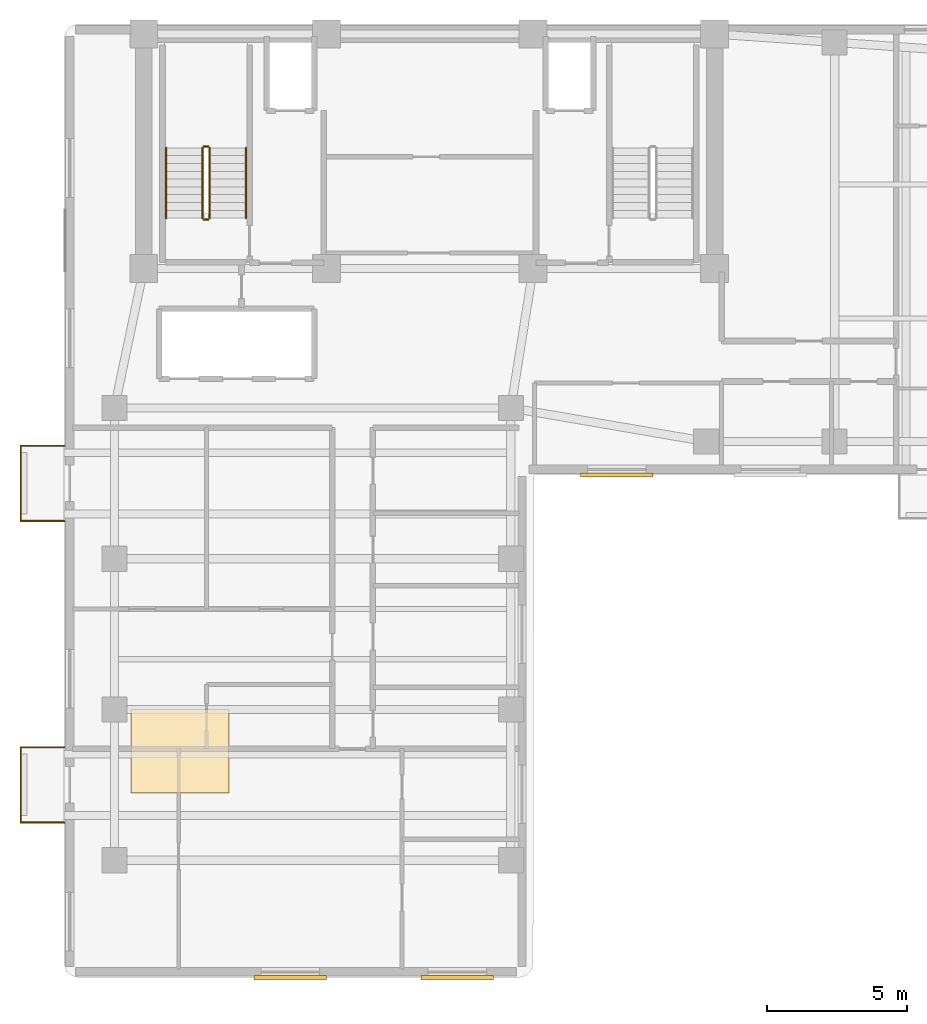
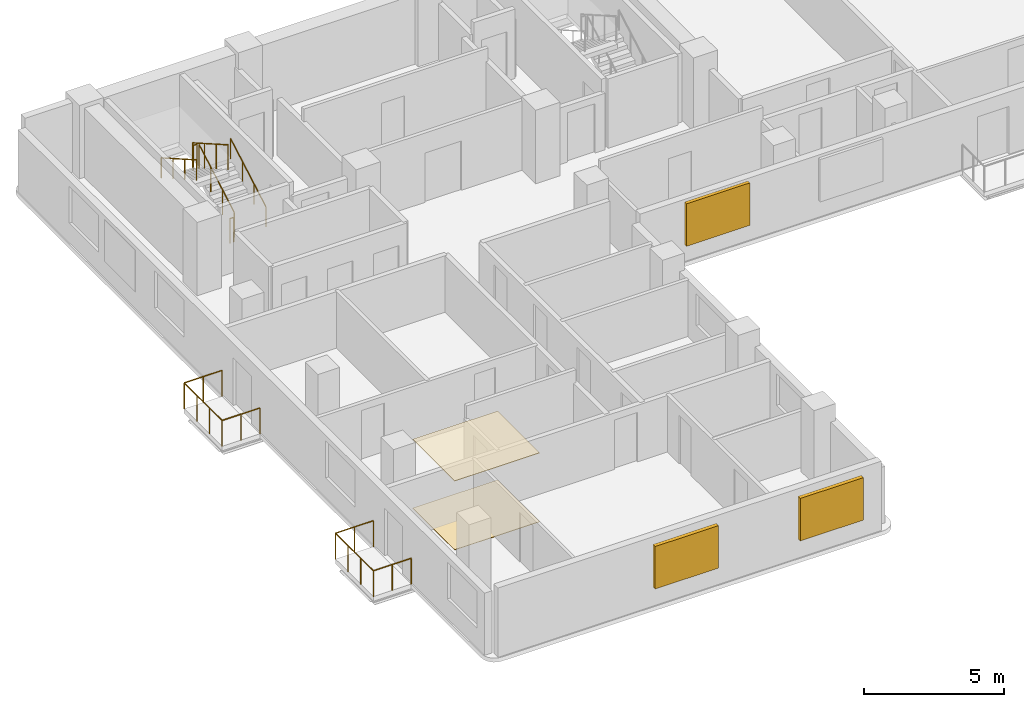
# One storey, part 6 of 7: 12 railings, 3 shading devices, 2 coverings.
"""IFC4 building model written with IfcOpenShell, lengths in metres."""

from ifc_helpers import new_model, si_unit, direction, frame, origin, origin_2d, place, context, subcontext, project, spatial, polyline, rectangle, circle, outline, extrude, material, layer, layer_set, type_object, element, save


model = new_model("IFC4")

# Units and contexts
model_context = context("Model", 3, precision=1e-05, world=origin(), true_north=direction((0.0, 1.0)))
body_context = subcontext(model_context, "Body", "Model", "MODEL_VIEW")
ifc_project = project(units=[si_unit("LENGTHUNIT", "METRE"), si_unit("AREAUNIT", "SQUARE_METRE"), si_unit("VOLUMEUNIT", "CUBIC_METRE"), si_unit("PLANEANGLEUNIT", "RADIAN"), si_unit("MASSUNIT", "GRAM", prefix="KILO")], contexts=[model_context])

# Site, building, storey
site_placement = place(None, origin())
site = spatial("IfcSite", under=ifc_project, at=site_placement, CompositionType="ELEMENT")
building_placement = place(site_placement, origin())
building = spatial("IfcBuilding", under=site, at=building_placement, Name="Kuzgunbayir Cultural Tower", CompositionType="ELEMENT")
storey_placement = place(building_placement, frame((0.0, 0.0, 176.0)))
storey = spatial("IfcBuildingStorey", under=building, at=storey_placement, Name="L51", CompositionType="ELEMENT", Elevation=176.0)

# Coverings
ifc_material_1 = material(Name="Perforated Gypsum Acoustic Tile", Category="gypsum")
ifc_layer_1 = layer(ifc_material_1, 0.02490234375)
ifc_layer_set_1 = layer_set([ifc_layer_1], Name="Perforated Gypsum Acoustic Tile")
covering_type_1 = type_object("IfcCoveringType", Name="COV-CEIL-ACOUSTIC", PredefinedType="CEILING", material=ifc_layer_set_1)
covering_1_placement = place(storey_placement, frame((0.0, 0.0, 3.0)))
element("IfcCovering", 1, at=covering_1_placement, inside=storey, type_object=covering_type_1, Name="L51 Acoustic Soffit Ceiling", PredefinedType="CEILING", context=body_context, shape_type="SweptSolid", body=[
    extrude(outline(polyline([(6.0, 15.0), (9.5, 15.0), (9.5, 18.0), (6.0, 18.0), (6.0, 15.0)])), origin(), (0.0, 0.0, 1.0), 0.02001953125),
])
ifc_material_2 = material(Name="Engineered Anatolian Oak Parquet", Category="wood")
ifc_layer_2 = layer(ifc_material_2, 0.02197265625)
ifc_layer_set_2 = layer_set([ifc_layer_2], Name="Engineered Anatolian Oak Parquet")
covering_type_2 = type_object("IfcCoveringType", Name="COV-FLOOR-OAK", PredefinedType="FLOORING", material=ifc_layer_set_2)
covering_2_placement = place(storey_placement, origin())
element("IfcCovering", 2, at=covering_2_placement, inside=storey, type_object=covering_type_2, Name="L51 Acoustic Floor Finish", PredefinedType="FLOORING", context=body_context, shape_type="SweptSolid", body=[
    extrude(outline(polyline([(6.0, 15.0), (9.5, 15.0), (9.5, 18.0), (6.0, 18.0), (6.0, 15.0)])), origin(), (0.0, 0.0, 1.0), 0.02001953125),
])

# Railings
ifc_material_3 = material(Name="Laminated Glass and Stainless Steel", Category="steel")
ifc_layer_3 = layer(ifc_material_3, 0.080078125)
ifc_layer_set_3 = layer_set([ifc_layer_3], Name="Laminated Glass and Stainless Steel")
railing_type_1 = type_object("IfcRailingType", Name="RLG-BAL-115", PredefinedType="BALUSTRADE", material=ifc_layer_set_3)
railing_1_placement = place(storey_placement, frame((3.60009765625, 13.949951171875, 0.0)))
element("IfcRailing", 3, at=railing_1_placement, inside=storey, type_object=railing_type_1, Name="L51 Balcony Guard BAL-L51-WA1 Segment 1", PredefinedType="BALUSTRADE", context=body_context, shape_type="SweptSolid", body=[
    extrude(circle(Radius=0.02392578125, at=origin_2d()), frame((0.0, 0.0, 1.1259765625), z_axis=(-1.0, 0.0, 0.0), x_axis=(0.0, -1.0, 0.0)), (0.0, 0.0, 1.0), 1.56005859375),
    extrude(circle(Radius=0.02099609375, at=origin_2d()), origin(), (0.0, 0.0, 1.0), 1.101806640625),
    extrude(circle(Radius=0.02099609375, at=origin_2d()), frame((-0.780029296875, 0.0, 0.0)), (0.0, 0.0, 1.0), 1.101806640625),
    extrude(circle(Radius=0.02099609375, at=origin_2d()), frame((-1.56005859375, 0.0, 0.0)), (0.0, 0.0, 1.0), 1.101806640625),
])
railing_2_placement = place(storey_placement, frame((2.0400390625, 13.949951171875, 0.0)))
element("IfcRailing", 4, at=railing_2_placement, inside=storey, type_object=railing_type_1, Name="L51 Balcony Guard BAL-L51-WA1 Segment 2", PredefinedType="BALUSTRADE", context=body_context, shape_type="SweptSolid", body=[
    extrude(circle(Radius=0.02392578125, at=origin_2d()), frame((0.0, 0.0, 1.1259765625), z_axis=(0.0, 1.0, 0.0), x_axis=(-1.0, 0.0, 0.0)), (0.0, 0.0, 1.0), 2.699951171875),
    extrude(circle(Radius=0.02099609375, at=origin_2d()), origin(), (0.0, 0.0, 1.0), 1.101806640625),
    extrude(circle(Radius=0.02099609375, at=origin_2d()), frame((0.0, 0.89990234375, 0.0)), (0.0, 0.0, 1.0), 1.101806640625),
    extrude(circle(Radius=0.02099609375, at=origin_2d()), frame((0.0, 1.800048828125, 0.0)), (0.0, 0.0, 1.0), 1.101806640625),
    extrude(circle(Radius=0.02099609375, at=origin_2d()), frame((0.0, 2.699951171875, 0.0)), (0.0, 0.0, 1.0), 1.101806640625),
])
railing_3_placement = place(storey_placement, frame((2.0400390625, 16.64990234375, 0.0)))
element("IfcRailing", 5, at=railing_3_placement, inside=storey, type_object=railing_type_1, Name="L51 Balcony Guard BAL-L51-WA1 Segment 3", PredefinedType="BALUSTRADE", context=body_context, shape_type="SweptSolid", body=[
    extrude(circle(Radius=0.02392578125, at=origin_2d()), frame((0.0, 0.0, 1.1259765625), z_axis=(1.0, 0.0, 0.0), x_axis=(0.0, 1.0, 0.0)), (0.0, 0.0, 1.0), 1.56005859375),
    extrude(circle(Radius=0.02099609375, at=origin_2d()), origin(), (0.0, 0.0, 1.0), 1.101806640625),
    extrude(circle(Radius=0.02099609375, at=origin_2d()), frame((0.780029296875, 0.0, 0.0)), (0.0, 0.0, 1.0), 1.101806640625),
    extrude(circle(Radius=0.02099609375, at=origin_2d()), frame((1.56005859375, 0.0, 0.0)), (0.0, 0.0, 1.0), 1.101806640625),
])
railing_4_placement = place(storey_placement, frame((3.60009765625, 24.75, 0.0)))
element("IfcRailing", 6, at=railing_4_placement, inside=storey, type_object=railing_type_1, Name="L51 Balcony Guard BAL-L51-WA3 Segment 1", PredefinedType="BALUSTRADE", context=body_context, shape_type="SweptSolid", body=[
    extrude(circle(Radius=0.02392578125, at=origin_2d()), frame((0.0, 0.0, 1.1259765625), z_axis=(-1.0, 0.0, 0.0), x_axis=(0.0, -1.0, 0.0)), (0.0, 0.0, 1.0), 1.56005859375),
    extrude(circle(Radius=0.02099609375, at=origin_2d()), origin(), (0.0, 0.0, 1.0), 1.101806640625),
    extrude(circle(Radius=0.02099609375, at=origin_2d()), frame((-0.780029296875, 0.0, 0.0)), (0.0, 0.0, 1.0), 1.101806640625),
    extrude(circle(Radius=0.02099609375, at=origin_2d()), frame((-1.56005859375, 0.0, 0.0)), (0.0, 0.0, 1.0), 1.101806640625),
])
railing_5_placement = place(storey_placement, frame((2.0400390625, 24.75, 0.0)))
element("IfcRailing", 7, at=railing_5_placement, inside=storey, type_object=railing_type_1, Name="L51 Balcony Guard BAL-L51-WA3 Segment 2", PredefinedType="BALUSTRADE", context=body_context, shape_type="SweptSolid", body=[
    extrude(circle(Radius=0.02392578125, at=origin_2d()), frame((0.0, 0.0, 1.1259765625), z_axis=(0.0, 1.0, 0.0), x_axis=(-1.0, 0.0, 0.0)), (0.0, 0.0, 1.0), 2.699951171875),
    extrude(circle(Radius=0.02099609375, at=origin_2d()), origin(), (0.0, 0.0, 1.0), 1.101806640625),
    extrude(circle(Radius=0.02099609375, at=origin_2d()), frame((0.0, 0.89990234375, 0.0)), (0.0, 0.0, 1.0), 1.101806640625),
    extrude(circle(Radius=0.02099609375, at=origin_2d()), frame((0.0, 1.800048828125, 0.0)), (0.0, 0.0, 1.0), 1.101806640625),
    extrude(circle(Radius=0.02099609375, at=origin_2d()), frame((0.0, 2.699951171875, 0.0)), (0.0, 0.0, 1.0), 1.101806640625),
])
railing_6_placement = place(storey_placement, frame((2.0400390625, 27.449951171875, 0.0)))
element("IfcRailing", 8, at=railing_6_placement, inside=storey, type_object=railing_type_1, Name="L51 Balcony Guard BAL-L51-WA3 Segment 3", PredefinedType="BALUSTRADE", context=body_context, shape_type="SweptSolid", body=[
    extrude(circle(Radius=0.02392578125, at=origin_2d()), frame((0.0, 0.0, 1.1259765625), z_axis=(1.0, 0.0, 0.0), x_axis=(0.0, 1.0, 0.0)), (0.0, 0.0, 1.0), 1.56005859375),
    extrude(circle(Radius=0.02099609375, at=origin_2d()), origin(), (0.0, 0.0, 1.0), 1.101806640625),
    extrude(circle(Radius=0.02099609375, at=origin_2d()), frame((0.780029296875, 0.0, 0.0)), (0.0, 0.0, 1.0), 1.101806640625),
    extrude(circle(Radius=0.02099609375, at=origin_2d()), frame((1.56005859375, 0.0, 0.0)), (0.0, 0.0, 1.0), 1.101806640625),
])
ifc_material_4 = material(Name="Brushed Stainless Steel", Category="steel")
ifc_layer_4 = layer(ifc_material_4, 0.050048828125)
ifc_layer_set_4 = layer_set([ifc_layer_4], Name="Brushed Stainless Steel")
railing_type_2 = type_object("IfcRailingType", Name="RLG-STAIR-HANDRAIL", PredefinedType="HANDRAIL", material=ifc_layer_set_4)
railing_7_placement = place(storey_placement, frame((10.110107421875, 35.60009765625, 0.159912109375)))
element("IfcRailing", 9, at=railing_7_placement, inside=storey, type_object=railing_type_2, Name="L51 ST-1 stair handrail 1", PredefinedType="HANDRAIL", context=body_context, shape_type="SweptSolid", body=[
    extrude(circle(Radius=0.02392578125, at=origin_2d()), frame((0.0, 0.0, 0.8759765625), z_axis=(0.0, 0.868217259934, 0.496184229447), x_axis=(-1.0, 0.0, 0.0)), (0.0, 0.0, 1.0), 2.902587890625),
    extrude(circle(Radius=0.02099609375, at=origin_2d()), origin(), (0.0, 0.0, 1.0), 0.851806640625),
    extrude(circle(Radius=0.02099609375, at=origin_2d()), frame((0.0, 0.840087890625, 0.47998046875)), (0.0, 0.0, 1.0), 0.851806640625),
    extrude(circle(Radius=0.02099609375, at=origin_2d()), frame((0.0, 1.679931640625, 0.960205078125)), (0.0, 0.0, 1.0), 0.851806640625),
    extrude(circle(Radius=0.02099609375, at=origin_2d()), frame((0.0, 2.52001953125, 1.440185546875)), (0.0, 0.0, 1.0), 0.851806640625),
])
railing_8_placement = place(storey_placement, frame((7.25, 38.1201171875, 1.760009765625)))
element("IfcRailing", 10, at=railing_8_placement, inside=storey, type_object=railing_type_2, Name="L51 ST-1 stair handrail 2", PredefinedType="HANDRAIL", context=body_context, shape_type="SweptSolid", body=[
    extrude(circle(Radius=0.02392578125, at=origin_2d()), frame((0.0, 0.0, 0.8759765625), z_axis=(0.0, -0.868253494771, 0.496120820787), x_axis=(1.0, 0.0, 0.0)), (0.0, 0.0, 1.0), 2.90234375),
    extrude(circle(Radius=0.02099609375, at=origin_2d()), origin(), (0.0, 0.0, 1.0), 0.851806640625),
    extrude(circle(Radius=0.02099609375, at=origin_2d()), frame((0.0, -0.840087890625, 0.47998046875)), (0.0, 0.0, 1.0), 0.851806640625),
    extrude(circle(Radius=0.02099609375, at=origin_2d()), frame((0.0, -1.679931640625, 0.9599609375)), (0.0, 0.0, 1.0), 0.851806640625),
    extrude(circle(Radius=0.02099609375, at=origin_2d()), frame((0.0, -2.52001953125, 1.43994140625)), (0.0, 0.0, 1.0), 0.851806640625),
])
ifc_material_5 = material(Name="Painted Steel Balustrade", Category="steel")
ifc_layer_5 = layer(ifc_material_5, 0.06005859375)
ifc_layer_set_5 = layer_set([ifc_layer_5], Name="Painted Steel Balustrade")
railing_type_3 = type_object("IfcRailingType", Name="RLG-WELL-GUARD", PredefinedType="GUARDRAIL", material=ifc_layer_set_5)
railing_9_placement = place(storey_placement, frame((8.81005859375, 35.60009765625, 0.159912109375)))
element("IfcRailing", 11, at=railing_9_placement, inside=storey, type_object=railing_type_3, Name="L51 ST-1 stair guard 1", PredefinedType="GUARDRAIL", context=body_context, shape_type="SweptSolid", body=[
    extrude(circle(Radius=0.02392578125, at=origin_2d()), frame((0.0, 0.0, 1.076171875), z_axis=(0.0, 0.868217259934, 0.496184229447), x_axis=(-1.0, 0.0, 0.0)), (0.0, 0.0, 1.0), 2.902587890625),
    extrude(circle(Radius=0.02099609375, at=origin_2d()), origin(), (0.0, 0.0, 1.0), 1.052001953125),
    extrude(circle(Radius=0.02099609375, at=origin_2d()), frame((0.0, 0.840087890625, 0.47998046875)), (0.0, 0.0, 1.0), 1.052001953125),
    extrude(circle(Radius=0.02099609375, at=origin_2d()), frame((0.0, 1.679931640625, 0.960205078125)), (0.0, 0.0, 1.0), 1.052001953125),
    extrude(circle(Radius=0.02099609375, at=origin_2d()), frame((0.0, 2.52001953125, 1.440185546875)), (0.0, 0.0, 1.0), 1.052001953125),
])
railing_10_placement = place(storey_placement, frame((8.760009765625, 38.169921875, 1.60009765625)))
element("IfcRailing", 12, at=railing_10_placement, inside=storey, type_object=railing_type_3, Name="L51 ST-1 stair guard 2", PredefinedType="GUARDRAIL", context=body_context, shape_type="SweptSolid", body=[
    extrude(circle(Radius=0.02392578125, at=origin_2d()), frame((0.0, 0.0, 1.076171875), z_axis=(-1.0, 0.0, 0.0), x_axis=(0.0, -1.0, 0.0)), (0.0, 0.0, 1.0), 0.159912109375),
    extrude(circle(Radius=0.02099609375, at=origin_2d()), origin(), (0.0, 0.0, 1.0), 1.052001953125),
    extrude(circle(Radius=0.02099609375, at=origin_2d()), frame((-0.159912109375, 0.0, 0.0)), (0.0, 0.0, 1.0), 1.052001953125),
])
railing_11_placement = place(storey_placement, frame((8.550048828125, 38.1201171875, 1.760009765625)))
element("IfcRailing", 13, at=railing_11_placement, inside=storey, type_object=railing_type_3, Name="L51 ST-1 stair guard 3", PredefinedType="GUARDRAIL", context=body_context, shape_type="SweptSolid", body=[
    extrude(circle(Radius=0.02392578125, at=origin_2d()), frame((0.0, 0.0, 1.076171875), z_axis=(0.0, -0.868253494771, 0.496120820787), x_axis=(1.0, 0.0, 0.0)), (0.0, 0.0, 1.0), 2.90234375),
    extrude(circle(Radius=0.02099609375, at=origin_2d()), origin(), (0.0, 0.0, 1.0), 1.052001953125),
    extrude(circle(Radius=0.02099609375, at=origin_2d()), frame((0.0, -0.840087890625, 0.47998046875)), (0.0, 0.0, 1.0), 1.052001953125),
    extrude(circle(Radius=0.02099609375, at=origin_2d()), frame((0.0, -1.679931640625, 0.9599609375)), (0.0, 0.0, 1.0), 1.052001953125),
    extrude(circle(Radius=0.02099609375, at=origin_2d()), frame((0.0, -2.52001953125, 1.43994140625)), (0.0, 0.0, 1.0), 1.052001953125),
])
railing_12_placement = place(storey_placement, frame((8.760009765625, 35.550048828125, 0.0)))
element("IfcRailing", 14, at=railing_12_placement, inside=storey, type_object=railing_type_3, Name="L51 ST-1 stair guard 4", PredefinedType="GUARDRAIL", context=body_context, shape_type="SweptSolid", body=[
    extrude(circle(Radius=0.02392578125, at=origin_2d()), frame((0.0, 0.0, 1.076171875), z_axis=(-1.0, 0.0, 0.0), x_axis=(0.0, -1.0, 0.0)), (0.0, 0.0, 1.0), 0.159912109375),
    extrude(circle(Radius=0.02099609375, at=origin_2d()), origin(), (0.0, 0.0, 1.0), 1.052001953125),
    extrude(circle(Radius=0.02099609375, at=origin_2d()), frame((-0.159912109375, 0.0, 0.0)), (0.0, 0.0, 1.0), 1.052001953125),
])

# Shading devices
ifc_material_6 = material(Name="Perforated Bronze-Anodised Aluminium", Category="aluminium")
shading_device_type_1 = type_object("IfcShadingDeviceType", Name="SHD-SOLAR-BRONZE", PredefinedType="JALOUSIE", material=ifc_material_6)
shading_device_placement = place(storey_placement, frame((23.39990234375, 26.39990234375, 0.73486328125), z_axis=(0.0, 0.0, 1.0), x_axis=(1.0, 0.0, 0.0)))
element("IfcShadingDevice", 15, at=shading_device_placement, inside=storey, type_object=shading_device_type_1, Name="L51 Solar Screen WBS12", PredefinedType="JALOUSIE", context=body_context, shape_type="SweptSolid", body=[
    extrude(rectangle(XDim=2.60009765625, YDim=0.139892578125, at=origin_2d()), origin(), (0.0, 0.0, 1.0), 1.85009765625),
])
ifc_material_7 = material(Name="Warm Terracotta Ceramic Baguette", Category="masonry")
shading_device_type_2 = type_object("IfcShadingDeviceType", Name="SHD-SOLAR-CERAMIC", PredefinedType="SHUTTER", material=ifc_material_7)
for number, where, z_axis, x_axis, name in (
    (16, (11.699951171875, 8.389892578125, 0.824951171875), (0.0, 0.0, 1.0), (1.0, 0.0, 0.0), "L51 Solar Screen WAS1"),
    (17, (17.679931640625, 8.389892578125, 0.824951171875), (0.0, 0.0, 1.0), (1.0, 0.0, 0.0), "L51 Solar Screen WAS2"),
):
    element("IfcShadingDevice", number, at=place(storey_placement, frame(where, z_axis=z_axis, x_axis=x_axis)), inside=storey, type_object=shading_device_type_2, Name=name, PredefinedType="SHUTTER", context=body_context, shape_type="SweptSolid", body=[
        extrude(rectangle(XDim=2.60009765625, YDim=0.159912109375, at=origin_2d()), origin(), (0.0, 0.0, 1.0), 1.85009765625),
    ])

save(model, "model.ifc")
